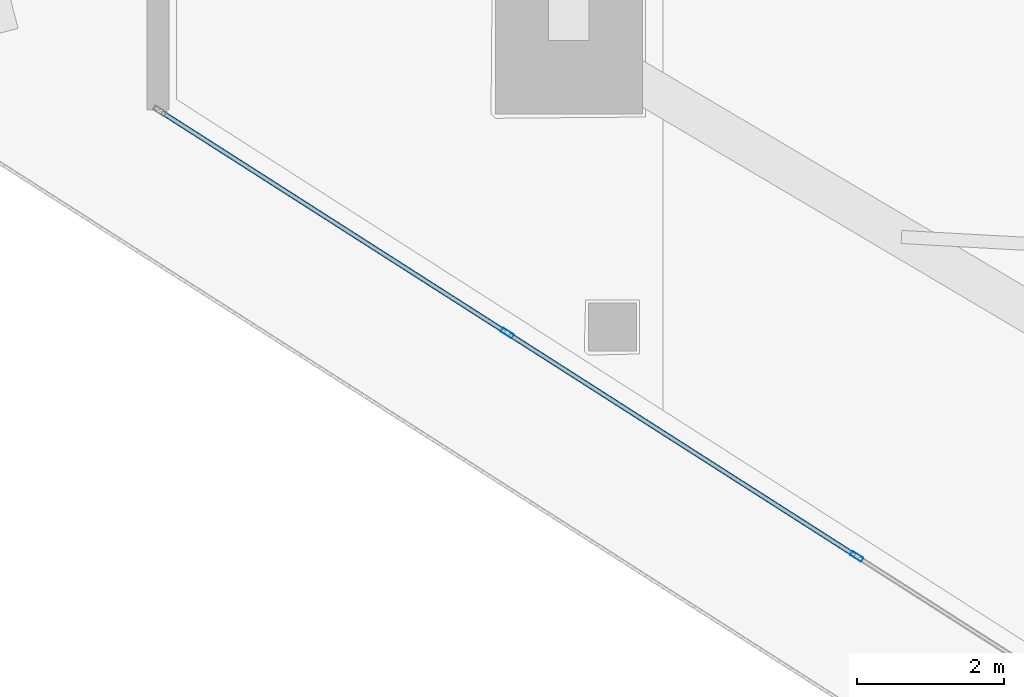
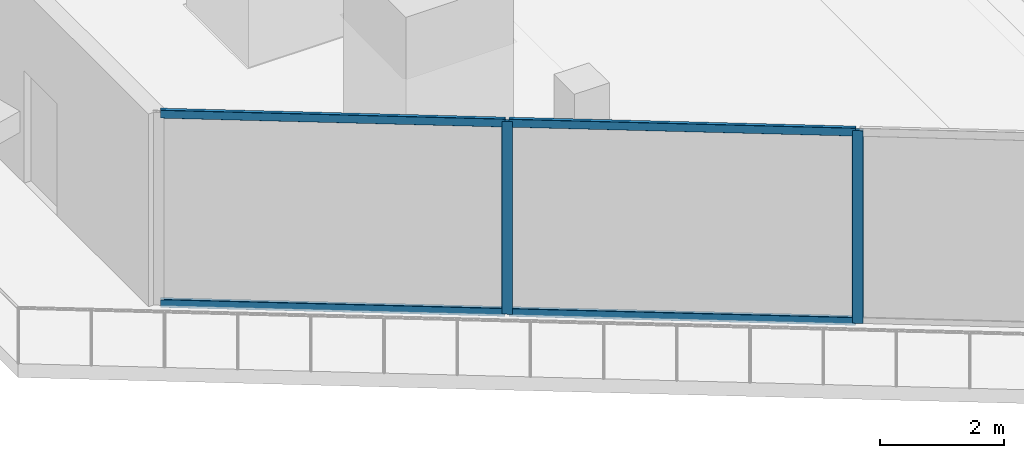
# One storey, part 5 of 36: 6 members, 1 element without a shape of its own.
"""IFC4 building model written with IfcOpenShell, lengths in metres."""

from ifc_helpers import new_model, si_unit, direction, frame, origin, origin_2d, place, context, subcontext, project, spatial, hollow_rectangle, extrude, material, layer, layer_set, material_profile, profile_set, type_object, element, aggregate, save


model = new_model("IFC4")

# Units and contexts
model_context = context("Model", 3, precision=1e-05, world=origin(), true_north=direction((0.0, 1.0)))
body_context = subcontext(model_context, "Body", "Model", "MODEL_VIEW")
ifc_project = project(units=[si_unit("LENGTHUNIT", "METRE"), si_unit("AREAUNIT", "SQUARE_METRE"), si_unit("VOLUMEUNIT", "CUBIC_METRE"), si_unit("PLANEANGLEUNIT", "RADIAN"), si_unit("MASSUNIT", "GRAM", prefix="KILO")], contexts=[model_context])

# Site, building, storey
site_placement = place(None, origin())
site = spatial("IfcSite", under=ifc_project, at=site_placement, CompositionType="ELEMENT")
building_placement = place(site_placement, origin())
building = spatial("IfcBuilding", under=site, at=building_placement, Name="Qorvath Tower", CompositionType="ELEMENT")
storey_placement = place(building_placement, frame((0.0, 0.0, 192.89990234375)))
storey = spatial("IfcBuildingStorey", under=building, at=storey_placement, Name="L44", CompositionType="ELEMENT", Elevation=192.89990234375)

# Curtain wall, members
ifc_material_1 = material(Name="Anodised aluminium and triple low-E glass", Category="aluminium")
ifc_layer = layer(ifc_material_1, 0.179931640625)
ifc_layer_set = layer_set([ifc_layer], Name="CW-SYS-3")
curtain_wall_type = type_object("IfcCurtainWallType", Name="CW-SYS-3", PredefinedType="NOTDEFINED", material=ifc_layer_set)
curtain_wall_placement = place(storey_placement, origin())
curtain_wall = element("IfcCurtainWall", 1, at=curtain_wall_placement, inside=storey, type_object=curtain_wall_type, Name="Curtain Wall CW-3 CW-T-L44-2.1", PredefinedType="NOTDEFINED")
ifc_material_2 = material(Name="Anodised aluminium 6063-T6", Category="aluminium")
ifc_material_profile_1 = material_profile(ifc_material_2, hollow_rectangle(XDim=0.06494140625, YDim=0.179931640625, WallThickness=0.00341796875, InnerFilletRadius=0.00341796875, OuterFilletRadius=0.007080078125, at=origin_2d()), Name="CWM 180x65")
ifc_profile_set_1 = profile_set([ifc_material_profile_1], Name="Anodised aluminium 6063-T6")
member_type_1 = type_object("IfcMemberType", Name="CWM-180", PredefinedType="MULLION", material=ifc_profile_set_1)
member_1_placement = place(storey_placement, frame((-50.01025390625, -6.5087890625, 0.0), z_axis=(0.0, 0.0, 1.0), x_axis=(0.538533623725, 0.842604020948, 0.0)))
member_1 = element("IfcMember", 2, at=member_1_placement, type_object=member_type_1, Name="CW-3 mullion 2", PredefinedType="MULLION", context=body_context, shape_type="SweptSolid", body=[
    extrude(hollow_rectangle(XDim=0.06494140625, YDim=0.179931640625, WallThickness=0.00341796875, InnerFilletRadius=0.00341796875, OuterFilletRadius=0.007080078125, at=origin_2d()), origin(), (0.0, 0.0, 1.0), 3.780029296875),
])
member_2_placement = place(storey_placement, frame((-45.2578125, -9.54638671875, 0.0), z_axis=(0.0, 0.0, 1.0), x_axis=(0.538533623725, 0.842604020948, 0.0)))
member_2 = element("IfcMember", 3, at=member_2_placement, type_object=member_type_1, Name="CW-3 mullion 3", PredefinedType="MULLION", context=body_context, shape_type="SweptSolid", body=[
    extrude(hollow_rectangle(XDim=0.06494140625, YDim=0.179931640625, WallThickness=0.00341796875, InnerFilletRadius=0.00341796875, OuterFilletRadius=0.007080078125, at=origin_2d()), origin(), (0.0, 0.0, 1.0), 3.780029296875),
])
ifc_material_3 = material(Name="Anodised aluminium 6063-T6", Category="aluminium")
ifc_material_profile_2 = material_profile(ifc_material_3, hollow_rectangle(XDim=0.06494140625, YDim=0.159912109375, WallThickness=0.00341796875, InnerFilletRadius=0.00341796875, OuterFilletRadius=0.007080078125, at=origin_2d()), Name="CWT 160x65")
ifc_profile_set_2 = profile_set([ifc_material_profile_2], Name="Anodised aluminium 6063-T6")
member_type_2 = type_object("IfcMemberType", Name="CWT-160", PredefinedType="USERDEFINED", material=ifc_profile_set_2)
member_3_placement = place(storey_placement, frame((-54.7080078125, -3.50634765625, 0.032470703125), z_axis=(0.842595217297, -0.538547397903, 0.0), x_axis=(0.538547397903, 0.842595217297, 0.0)))
member_3 = element("IfcMember", 4, at=member_3_placement, type_object=member_type_2, Name="CW-3 transom 1.1", ObjectType="TRANSOM", PredefinedType="USERDEFINED", context=body_context, shape_type="SweptSolid", body=[
    extrude(hollow_rectangle(XDim=0.06494140625, YDim=0.159912109375, WallThickness=0.00341796875, InnerFilletRadius=0.00341796875, OuterFilletRadius=0.007080078125, at=origin_2d()), origin(), (0.0, 0.0, 1.0), 5.54296875),
])
member_4_placement = place(storey_placement, frame((-54.7080078125, -3.50634765625, 3.74755859375), z_axis=(0.842595217297, -0.538547397903, 0.0), x_axis=(0.538547397903, 0.842595217297, 0.0)))
member_4 = element("IfcMember", 5, at=member_4_placement, type_object=member_type_2, Name="CW-3 transom 1.2", ObjectType="TRANSOM", PredefinedType="USERDEFINED", context=body_context, shape_type="SweptSolid", body=[
    extrude(hollow_rectangle(XDim=0.06494140625, YDim=0.159912109375, WallThickness=0.00341796875, InnerFilletRadius=0.00341796875, OuterFilletRadius=0.007080078125, at=origin_2d()), origin(), (0.0, 0.0, 1.0), 5.54296875),
])
member_5_placement = place(storey_placement, frame((-49.98291015625, -6.5263671875, 0.032470703125), z_axis=(0.842606844645, -0.538529205667, 0.0), x_axis=(0.538529205667, 0.842606844645, 0.0)))
member_5 = element("IfcMember", 6, at=member_5_placement, type_object=member_type_2, Name="CW-3 transom 2.1", ObjectType="TRANSOM", PredefinedType="USERDEFINED", context=body_context, shape_type="SweptSolid", body=[
    extrude(hollow_rectangle(XDim=0.06494140625, YDim=0.159912109375, WallThickness=0.00341796875, InnerFilletRadius=0.00341796875, OuterFilletRadius=0.007080078125, at=origin_2d()), origin(), (0.0, 0.0, 1.0), 5.5751953125),
])
member_6_placement = place(storey_placement, frame((-49.98291015625, -6.5263671875, 3.74755859375), z_axis=(0.842606844645, -0.538529205667, 0.0), x_axis=(0.538529205667, 0.842606844645, 0.0)))
member_6 = element("IfcMember", 7, at=member_6_placement, type_object=member_type_2, Name="CW-3 transom 2.2", ObjectType="TRANSOM", PredefinedType="USERDEFINED", context=body_context, shape_type="SweptSolid", body=[
    extrude(hollow_rectangle(XDim=0.06494140625, YDim=0.159912109375, WallThickness=0.00341796875, InnerFilletRadius=0.00341796875, OuterFilletRadius=0.007080078125, at=origin_2d()), origin(), (0.0, 0.0, 1.0), 5.5751953125),
])
aggregate(curtain_wall, [member_1, member_2, member_3, member_4, member_5, member_6])

save(model, "model.ifc")
